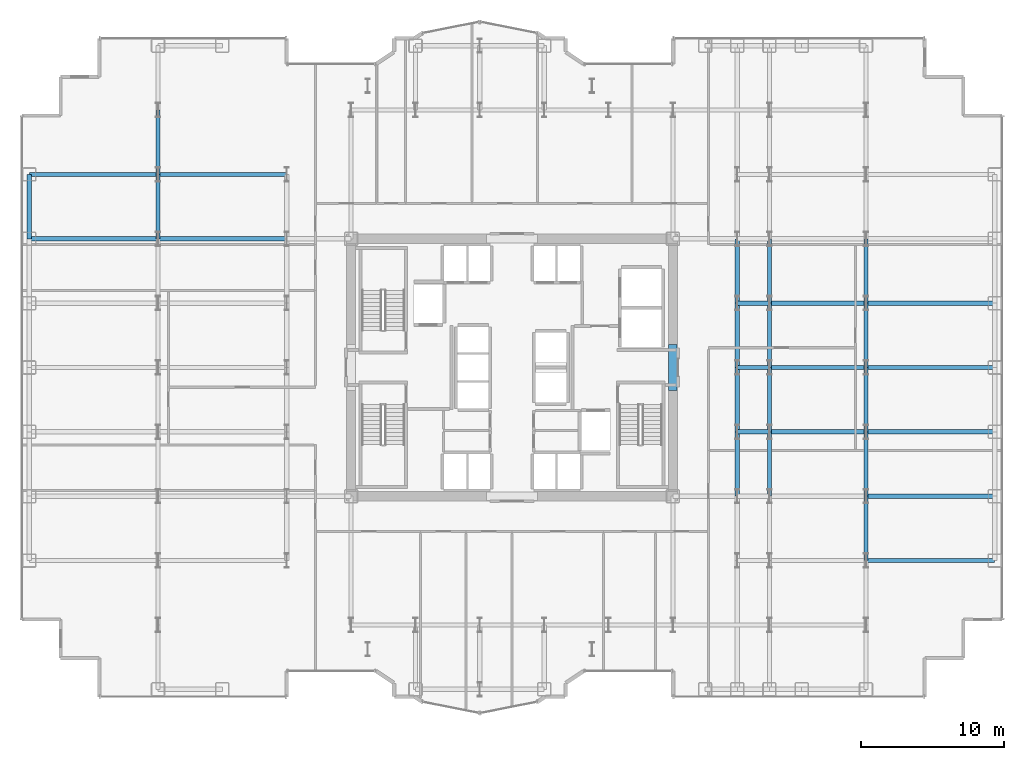
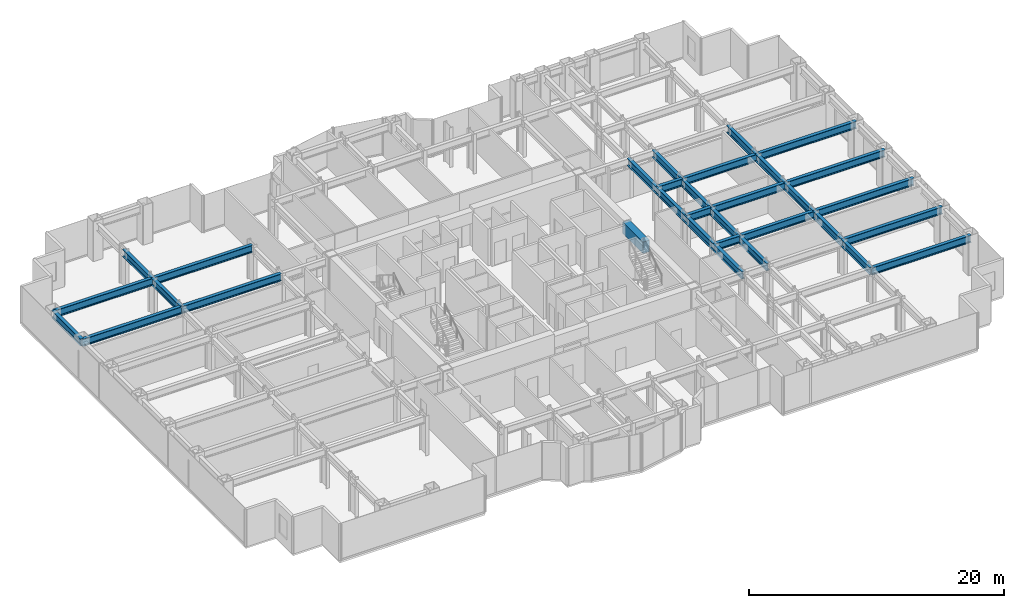
# One storey, part 8 of 25: 32 beams.
"""IFC4 building model written with IfcOpenShell, lengths in metres."""

from ifc_helpers import new_model, si_unit, direction, frame, origin, origin_2d, place, context, subcontext, project, spatial, rectangle, i_section, extrude, source, transform, mapped, material, material_profile, profile_set, type_object, element, save


model = new_model("IFC4")

# Units and contexts
model_context = context("Model", 3, precision=1e-05, world=origin(), true_north=direction((0.0, 1.0)))
body_context = subcontext(model_context, "Body", "Model", "MODEL_VIEW")
ifc_project = project(units=[si_unit("LENGTHUNIT", "METRE"), si_unit("AREAUNIT", "SQUARE_METRE"), si_unit("VOLUMEUNIT", "CUBIC_METRE"), si_unit("PLANEANGLEUNIT", "RADIAN"), si_unit("MASSUNIT", "GRAM", prefix="KILO")], contexts=[model_context])

# Site, building, storey
site_placement = place(None, origin())
site = spatial("IfcSite", under=ifc_project, at=site_placement, CompositionType="ELEMENT")
building_placement = place(site_placement, origin())
building = spatial("IfcBuilding", under=site, at=building_placement, Name="Nefas-Gora Pilgrimage Tower", CompositionType="ELEMENT")
storey_placement = place(building_placement, frame((0.0, 0.0, 74.800048828125)))
storey = spatial("IfcBuildingStorey", under=building, at=storey_placement, Name="L17", CompositionType="ELEMENT", Elevation=74.800048828125)

# Beams
ifc_material_1 = material(Name="Concrete C60/75", Category="concrete")
ifc_material_profile_1 = material_profile(ifc_material_1, rectangle(XDim=0.60009765625, YDim=1.10009765625, at=origin_2d()), Name="RC 600x1100")
ifc_profile_set_1 = profile_set([ifc_material_profile_1], Name="Concrete C60/75")
beam_type_1 = type_object("IfcBeamType", Name="BM-LIN-RC1100", PredefinedType="LINTEL", material=ifc_profile_set_1)
shared_shape_1 = source(origin(), body_context, "Body", "SweptSolid", [
    extrude(rectangle(XDim=0.60009765625, YDim=1.10009765625, at=origin_2d()), origin(), (0.0, 0.0, 1.0), 3.2001953125),
])
beam_1_placement = place(storey_placement, frame((11.25, -1.60009765625, 3.0), z_axis=(0.0, 1.0, 0.0), x_axis=(-1.0, 0.0, 0.0)))
element("IfcBeam", 1, at=beam_1_placement, inside=storey, type_object=beam_type_1, Name="L17 Core Coupling Lintel Beam E", PredefinedType="LINTEL", context=body_context, shape_type="MappedRepresentation", body=[
    mapped(shared_shape_1, transform((0.0, 0.0, 0.0), x_axis=(1.0, 0.0, 0.0), y_axis=(0.0, 1.0, 0.0), z_axis=(0.0, 0.0, 1.0), scale=1.0)),
])
ifc_material_2 = material(Name="Steel S355", Category="steel")
ifc_material_profile_2 = material_profile(ifc_material_2, i_section(OverallWidth=0.300048828125, OverallDepth=0.699951171875, WebThickness=0.01708984375, FlangeThickness=0.031982421875, FilletRadius=0.027099609375, at=origin_2d()), Name="HEB 700")
ifc_profile_set_2 = profile_set([ifc_material_profile_2], Name="Steel S355")
beam_type_2 = type_object("IfcBeamType", Name="BM-SPN-HEB600", PredefinedType="SPANDREL", material=ifc_profile_set_2)
shared_shape_2 = source(origin(), body_context, "Body", "SweptSolid", [
    extrude(i_section(OverallWidth=0.300048828125, OverallDepth=0.699951171875, WebThickness=0.01708984375, FlangeThickness=0.031982421875, FilletRadius=0.027099609375, at=origin_2d()), origin(), (0.0, 0.0, 1.0), 4.5),
])
beam_2_placement = place(storey_placement, frame((-33.75, 9.0, 3.199951171875), z_axis=(0.0, 1.0, 0.0), x_axis=(-1.0, 0.0, 0.0)))
element("IfcBeam", 2, at=beam_2_placement, inside=storey, type_object=beam_type_2, Name="L17 SP-01 beam", PredefinedType="SPANDREL", context=body_context, shape_type="MappedRepresentation", body=[
    mapped(shared_shape_2, transform((0.0, 0.0, 0.0), x_axis=(1.0, 0.0, 0.0), y_axis=(0.0, 1.0, 0.0), z_axis=(0.0, 0.0, 1.0), scale=1.0)),
])
ifc_material_profile_3 = material_profile(ifc_material_2, i_section(OverallWidth=0.300048828125, OverallDepth=0.699951171875, WebThickness=0.01708984375, FlangeThickness=0.031982421875, FilletRadius=0.027099609375, at=origin_2d()), Name="HEB 700")
ifc_profile_set_3 = profile_set([ifc_material_profile_3], Name="Steel S355")
beam_type_3 = type_object("IfcBeamType", Name="BM-GIR-HEB700", PredefinedType="BEAM", material=ifc_profile_set_3)
shared_shape_3 = source(origin(), body_context, "Body", "SweptSolid", [
    extrude(i_section(OverallWidth=0.300048828125, OverallDepth=0.699951171875, WebThickness=0.01708984375, FlangeThickness=0.031982421875, FilletRadius=0.027099609375, at=origin_2d()), origin(), (0.0, 0.0, 1.0), 9.0),
])
for number, where, z_axis, x_axis, name in (
    (3, (-33.75, 9.0, 3.199951171875), (1.0, 0.0, 0.0), (0.0, 1.0, 0.0), "L17 G-02 beam"),
    (4, (-33.75, 13.5, 3.199951171875), (1.0, 0.0, 0.0), (0.0, 1.0, 0.0), "L17 G-02 beam"),
    (5, (-24.75, 9.0, 3.199951171875), (1.0, 0.0, 0.0), (0.0, 1.0, 0.0), "L17 G-02 beam"),
    (6, (-24.75, 13.5, 3.199951171875), (1.0, 0.0, 0.0), (0.0, 1.0, 0.0), "L17 G-02 beam"),
    (7, (24.75, -13.5, 3.199951171875), (1.0, 0.0, 0.0), (0.0, 1.0, 0.0), "L17 G-02 beam"),
    (8, (24.75, -9.0, 3.199951171875), (1.0, 0.0, 0.0), (0.0, 1.0, 0.0), "L17 G-02 beam"),
    (9, (24.75, -4.5, 3.199951171875), (1.0, 0.0, 0.0), (0.0, 1.0, 0.0), "L17 G-02 beam"),
    (10, (24.75, 0.0, 3.199951171875), (1.0, 0.0, 0.0), (0.0, 1.0, 0.0), "L17 G-02 beam"),
    (11, (24.75, 4.5, 3.199951171875), (1.0, 0.0, 0.0), (0.0, 1.0, 0.0), "L17 G-02 beam"),
):
    element("IfcBeam", number, at=place(storey_placement, frame(where, z_axis=z_axis, x_axis=x_axis)), inside=storey, type_object=beam_type_3, Name=name, PredefinedType="BEAM", context=body_context, shape_type="MappedRepresentation", body=[
        mapped(shared_shape_3, transform((0.0, 0.0, 0.0), x_axis=(1.0, 0.0, 0.0), y_axis=(0.0, 1.0, 0.0), z_axis=(0.0, 0.0, 1.0), scale=1.0)),
    ])
shared_shape_4 = source(origin(), body_context, "Body", "SweptSolid", [
    extrude(i_section(OverallWidth=0.300048828125, OverallDepth=0.699951171875, WebThickness=0.01708984375, FlangeThickness=0.031982421875, FilletRadius=0.027099609375, at=origin_2d()), origin(), (0.0, 0.0, 1.0), 4.5),
])
for number, where, z_axis, x_axis, name in (
    (12, (-24.75, 9.0, 3.199951171875), (0.0, 1.0, 0.0), (-1.0, 0.0, 0.0), "L17 G-02 beam"),
    (13, (-24.75, 13.5, 3.199951171875), (0.0, 1.0, 0.0), (-1.0, 0.0, 0.0), "L17 G-02 beam"),
    (14, (15.75, -9.0, 3.199951171875), (0.0, 1.0, 0.0), (-1.0, 0.0, 0.0), "L17 G-02 beam"),
    (15, (15.75, -4.5, 3.199951171875), (0.0, 1.0, 0.0), (-1.0, 0.0, 0.0), "L17 G-02 beam"),
    (16, (15.75, 0.0, 3.199951171875), (0.0, 1.0, 0.0), (-1.0, 0.0, 0.0), "L17 G-02 beam"),
    (17, (15.75, 4.5, 3.199951171875), (0.0, 1.0, 0.0), (-1.0, 0.0, 0.0), "L17 G-02 beam"),
    (18, (18.0, -9.0, 3.199951171875), (0.0, 1.0, 0.0), (-1.0, 0.0, 0.0), "L17 G-02 beam"),
    (19, (18.0, -4.5, 3.199951171875), (0.0, 1.0, 0.0), (-1.0, 0.0, 0.0), "L17 G-02 beam"),
    (20, (18.0, 0.0, 3.199951171875), (0.0, 1.0, 0.0), (-1.0, 0.0, 0.0), "L17 G-02 beam"),
    (21, (18.0, 4.5, 3.199951171875), (0.0, 1.0, 0.0), (-1.0, 0.0, 0.0), "L17 G-02 beam"),
    (22, (24.75, -13.5, 3.199951171875), (0.0, 1.0, 0.0), (-1.0, 0.0, 0.0), "L17 G-02 beam"),
    (23, (24.75, -9.0, 3.199951171875), (0.0, 1.0, 0.0), (-1.0, 0.0, 0.0), "L17 G-02 beam"),
    (24, (24.75, -4.5, 3.199951171875), (0.0, 1.0, 0.0), (-1.0, 0.0, 0.0), "L17 G-02 beam"),
    (25, (24.75, 0.0, 3.199951171875), (0.0, 1.0, 0.0), (-1.0, 0.0, 0.0), "L17 G-02 beam"),
    (26, (24.75, 4.5, 3.199951171875), (0.0, 1.0, 0.0), (-1.0, 0.0, 0.0), "L17 G-02 beam"),
):
    element("IfcBeam", number, at=place(storey_placement, frame(where, z_axis=z_axis, x_axis=x_axis)), inside=storey, type_object=beam_type_3, Name=name, PredefinedType="BEAM", context=body_context, shape_type="MappedRepresentation", body=[
        mapped(shared_shape_4, transform((0.0, 0.0, 0.0), x_axis=(1.0, 0.0, 0.0), y_axis=(0.0, 1.0, 0.0), z_axis=(0.0, 0.0, 1.0), scale=1.0)),
    ])
shared_shape_5 = source(origin(), body_context, "Body", "SweptSolid", [
    extrude(i_section(OverallWidth=0.300048828125, OverallDepth=0.699951171875, WebThickness=0.01708984375, FlangeThickness=0.031982421875, FilletRadius=0.027099609375, at=origin_2d()), origin(), (0.0, 0.0, 1.0), 6.75),
])
for number, where, z_axis, x_axis, name in (
    (27, (18.0, -4.5, 3.199951171875), (1.0, 0.0, 0.0), (0.0, 1.0, 0.0), "L17 G-02 beam"),
    (28, (18.0, 0.0, 3.199951171875), (1.0, 0.0, 0.0), (0.0, 1.0, 0.0), "L17 G-02 beam"),
    (29, (18.0, 4.5, 3.199951171875), (1.0, 0.0, 0.0), (0.0, 1.0, 0.0), "L17 G-02 beam"),
):
    element("IfcBeam", number, at=place(storey_placement, frame(where, z_axis=z_axis, x_axis=x_axis)), inside=storey, type_object=beam_type_3, Name=name, PredefinedType="BEAM", context=body_context, shape_type="MappedRepresentation", body=[
        mapped(shared_shape_5, transform((0.0, 0.0, 0.0), x_axis=(1.0, 0.0, 0.0), y_axis=(0.0, 1.0, 0.0), z_axis=(0.0, 0.0, 1.0), scale=1.0)),
    ])
shared_shape_6 = source(origin(), body_context, "Body", "SweptSolid", [
    extrude(i_section(OverallWidth=0.300048828125, OverallDepth=0.699951171875, WebThickness=0.01708984375, FlangeThickness=0.031982421875, FilletRadius=0.027099609375, at=origin_2d()), origin(), (0.0, 0.0, 1.0), 2.25),
])
for number, where, z_axis, x_axis, name in (
    (30, (15.75, -4.5, 3.199951171875), (1.0, 0.0, 0.0), (0.0, 1.0, 0.0), "L17 G-02 beam"),
    (31, (15.75, 0.0, 3.199951171875), (1.0, 0.0, 0.0), (0.0, 1.0, 0.0), "L17 G-02 beam"),
    (32, (15.75, 4.5, 3.199951171875), (1.0, 0.0, 0.0), (0.0, 1.0, 0.0), "L17 G-02 beam"),
):
    element("IfcBeam", number, at=place(storey_placement, frame(where, z_axis=z_axis, x_axis=x_axis)), inside=storey, type_object=beam_type_3, Name=name, PredefinedType="BEAM", context=body_context, shape_type="MappedRepresentation", body=[
        mapped(shared_shape_6, transform((0.0, 0.0, 0.0), x_axis=(1.0, 0.0, 0.0), y_axis=(0.0, 1.0, 0.0), z_axis=(0.0, 0.0, 1.0), scale=1.0)),
    ])

save(model, "model.ifc")
